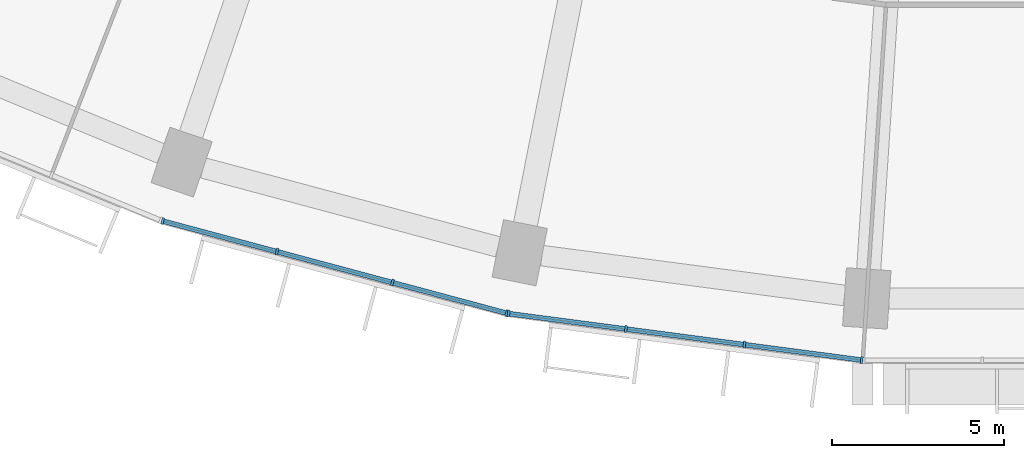
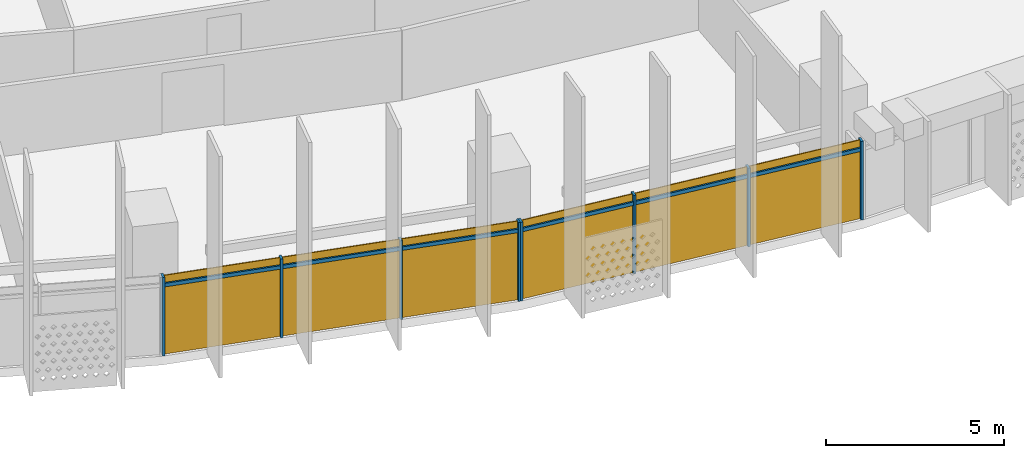
# One storey, part 20 of 32: 14 members, 2 curtain walls.
"""IFC4 building model written with IfcOpenShell, lengths in metres."""

from ifc_helpers import new_model, si_unit, direction, frame, origin, origin_2d, place, context, subcontext, project, spatial, rectangle, extrude, material, material_profile, profile_set, type_object, element, aggregate, save


model = new_model("IFC4")

# Units and contexts
model_context = context("Model", 3, precision=1e-05, world=origin(), true_north=direction((0.0, 1.0)))
body_context = subcontext(model_context, "Body", "Model", "MODEL_VIEW")
ifc_project = project(units=[si_unit("LENGTHUNIT", "METRE"), si_unit("AREAUNIT", "SQUARE_METRE"), si_unit("VOLUMEUNIT", "CUBIC_METRE"), si_unit("PLANEANGLEUNIT", "RADIAN"), si_unit("MASSUNIT", "GRAM", prefix="KILO")], contexts=[model_context])

# Member
ifc_material = material(Name="Aluminium 6063-T6 anodised", Category="aluminium")
ifc_material_profile_1 = material_profile(ifc_material, rectangle(XDim=0.199951171875, YDim=0.070068359375, at=origin_2d()))
ifc_profile_set_1 = profile_set([ifc_material_profile_1], Name="Aluminium 6063-T6 anodised")
member_type_1 = type_object("IfcMemberType", Name="Mullion 70 x 200 aluminium", PredefinedType="MULLION", material=ifc_profile_set_1)
site_placement = place(None, origin())
building_placement = place(site_placement, origin())
storey_placement = place(building_placement, frame((0.0, 0.0, 63.300048828125)))
member_1_placement = place(storey_placement, frame((-25.54296875, -75.33544921875, 0.0), z_axis=(0.0, 0.0, 1.0), x_axis=(0.258819045103, 0.965925826289, 0.0)))
member_1 = element("IfcMember", 1, at=member_1_placement, type_object=member_type_1, Name="e-cw1-L12-out06/M00", PredefinedType="MULLION", context=body_context, shape_type="SweptSolid", body=[
    extrude(rectangle(XDim=0.199951171875, YDim=0.070068359375, at=origin_2d()), origin(), (0.0, 0.0, 1.0), 2.699951171875),
])

member_2_placement = place(storey_placement, frame((-22.22216796875, -76.225341796875, 0.0), z_axis=(0.0, 0.0, 1.0), x_axis=(0.258819045103, 0.965925826289, 0.0)))
member_2 = element("IfcMember", 2, at=member_2_placement, type_object=member_type_1, Name="e-cw1-L12-out06/M01", PredefinedType="MULLION", context=body_context, shape_type="SweptSolid", body=[
    extrude(rectangle(XDim=0.199951171875, YDim=0.070068359375, at=origin_2d()), origin(), (0.0, 0.0, 1.0), 2.699951171875),
])

member_3_placement = place(storey_placement, frame((-18.86767578125, -77.1240234375, 0.0), z_axis=(0.0, 0.0, 1.0), x_axis=(0.258819045103, 0.965925826289, 0.0)))
member_3 = element("IfcMember", 3, at=member_3_placement, type_object=member_type_1, Name="e-cw1-L12-out06/M02", PredefinedType="MULLION", context=body_context, shape_type="SweptSolid", body=[
    extrude(rectangle(XDim=0.199951171875, YDim=0.070068359375, at=origin_2d()), origin(), (0.0, 0.0, 1.0), 2.699951171875),
])

member_4_placement = place(storey_placement, frame((-15.546875, -78.013916015625, 0.0), z_axis=(0.0, 0.0, 1.0), x_axis=(0.258819045103, 0.965925826289, 0.0)))
member_4 = element("IfcMember", 4, at=member_4_placement, type_object=member_type_1, Name="e-cw1-L12-out06/M03", PredefinedType="MULLION", context=body_context, shape_type="SweptSolid", body=[
    extrude(rectangle(XDim=0.199951171875, YDim=0.070068359375, at=origin_2d()), origin(), (0.0, 0.0, 1.0), 2.699951171875),
])

member_5_placement = place(storey_placement, frame((-15.4912109375, -78.02490234375, 0.0), z_axis=(0.0, 0.0, 1.0), x_axis=(0.13052619222, 0.991444861374, 0.0)))
member_5 = element("IfcMember", 5, at=member_5_placement, type_object=member_type_1, Name="e-cw1-L12-out07/M00", PredefinedType="MULLION", context=body_context, shape_type="SweptSolid", body=[
    extrude(rectangle(XDim=0.199951171875, YDim=0.070068359375, at=origin_2d()), origin(), (0.0, 0.0, 1.0), 2.699951171875),
])

member_6_placement = place(storey_placement, frame((-12.082763671875, -78.4736328125, 0.0), z_axis=(0.0, 0.0, 1.0), x_axis=(0.13052619222, 0.991444861374, 0.0)))
member_6 = element("IfcMember", 6, at=member_6_placement, type_object=member_type_1, Name="e-cw1-L12-out07/M01", PredefinedType="MULLION", context=body_context, shape_type="SweptSolid", body=[
    extrude(rectangle(XDim=0.199951171875, YDim=0.070068359375, at=origin_2d()), origin(), (0.0, 0.0, 1.0), 2.699951171875),
])

member_7_placement = place(storey_placement, frame((-8.639404296875, -78.927001953125, 0.0), z_axis=(0.0, 0.0, 1.0), x_axis=(0.13052619222, 0.991444861374, 0.0)))
member_7 = element("IfcMember", 7, at=member_7_placement, type_object=member_type_1, Name="e-cw1-L12-out07/M02", PredefinedType="MULLION", context=body_context, shape_type="SweptSolid", body=[
    extrude(rectangle(XDim=0.199951171875, YDim=0.070068359375, at=origin_2d()), origin(), (0.0, 0.0, 1.0), 2.699951171875),
])

member_8_placement = place(storey_placement, frame((-5.23095703125, -79.375732421875, 0.0), z_axis=(0.0, 0.0, 1.0), x_axis=(0.13052619222, 0.991444861374, 0.0)))
member_8 = element("IfcMember", 8, at=member_8_placement, type_object=member_type_1, Name="e-cw1-L12-out07/M03", PredefinedType="MULLION", context=body_context, shape_type="SweptSolid", body=[
    extrude(rectangle(XDim=0.199951171875, YDim=0.070068359375, at=origin_2d()), origin(), (0.0, 0.0, 1.0), 2.699951171875),
])

ifc_material_profile_2 = material_profile(ifc_material, rectangle(XDim=0.139892578125, YDim=0.1201171875, at=origin_2d()))
ifc_profile_set_2 = profile_set([ifc_material_profile_2], Name="Aluminium 6063-T6 anodised")
member_type_2 = type_object("IfcMemberType", Name="Transom 120 x 140 aluminium", PredefinedType="USERDEFINED", material=ifc_profile_set_2)
member_9_placement = place(storey_placement, frame((-25.50927734375, -75.344482421875, 2.39990234375), z_axis=(0.965915368772, -0.258858069935, 0.0), x_axis=(0.258858069935, 0.965915368772, 0.0)))
member_9 = element("IfcMember", 9, at=member_9_placement, type_object=member_type_2, Name="e-cw1-L12-out06/T00", ObjectType="TRANSOM", PredefinedType="USERDEFINED", context=body_context, shape_type="SweptSolid", body=[
    extrude(rectangle(XDim=0.139892578125, YDim=0.1201171875, at=origin_2d()), origin(), (0.0, 0.0, 1.0), 3.367919921875),
])

member_10_placement = place(storey_placement, frame((-22.1884765625, -76.234375, 2.39990234375), z_axis=(0.965937804901, -0.258774336176, 0.0), x_axis=(0.258774336176, 0.965937804901, 0.0)))
member_10 = element("IfcMember", 10, at=member_10_placement, type_object=member_type_2, Name="e-cw1-L12-out06/T01", ObjectType="TRANSOM", PredefinedType="USERDEFINED", context=body_context, shape_type="SweptSolid", body=[
    extrude(rectangle(XDim=0.139892578125, YDim=0.1201171875, at=origin_2d()), origin(), (0.0, 0.0, 1.0), 3.403076171875),
])

member_11_placement = place(storey_placement, frame((-18.833740234375, -77.133056640625, 2.39990234375), z_axis=(0.965915368772, -0.258858069935, 0.0), x_axis=(0.258858069935, 0.965915368772, 0.0)))
member_11 = element("IfcMember", 11, at=member_11_placement, type_object=member_type_2, Name="e-cw1-L12-out06/T02", ObjectType="TRANSOM", PredefinedType="USERDEFINED", context=body_context, shape_type="SweptSolid", body=[
    extrude(rectangle(XDim=0.139892578125, YDim=0.1201171875, at=origin_2d()), origin(), (0.0, 0.0, 1.0), 3.367919921875),
])

member_12_placement = place(storey_placement, frame((-15.45654296875, -78.029541015625, 2.39990234375), z_axis=(0.9914412138, -0.130553895303, 0.0), x_axis=(0.130553895303, 0.9914412138, 0.0)))
member_12 = element("IfcMember", 12, at=member_12_placement, type_object=member_type_2, Name="e-cw1-L12-out07/T00", ObjectType="TRANSOM", PredefinedType="USERDEFINED", context=body_context, shape_type="SweptSolid", body=[
    extrude(rectangle(XDim=0.139892578125, YDim=0.1201171875, at=origin_2d()), origin(), (0.0, 0.0, 1.0), 3.367919921875),
])

member_13_placement = place(storey_placement, frame((-12.048095703125, -78.478271484375, 2.39990234375), z_axis=(0.991447700941, -0.130504621753, 0.0), x_axis=(0.130504621753, 0.991447700941, 0.0)))
member_13 = element("IfcMember", 13, at=member_13_placement, type_object=member_type_2, Name="e-cw1-L12-out07/T01", ObjectType="TRANSOM", PredefinedType="USERDEFINED", context=body_context, shape_type="SweptSolid", body=[
    extrude(rectangle(XDim=0.139892578125, YDim=0.1201171875, at=origin_2d()), origin(), (0.0, 0.0, 1.0), 3.40283203125),
])

member_14_placement = place(storey_placement, frame((-8.604736328125, -78.931640625, 2.39990234375), z_axis=(0.991450594138, -0.130482640159, 0.0), x_axis=(0.130482640159, 0.991450594138, 0.0)))
member_14 = element("IfcMember", 14, at=member_14_placement, type_object=member_type_2, Name="e-cw1-L12-out07/T02", ObjectType="TRANSOM", PredefinedType="USERDEFINED", context=body_context, shape_type="SweptSolid", body=[
    extrude(rectangle(XDim=0.139892578125, YDim=0.1201171875, at=origin_2d()), origin(), (0.0, 0.0, 1.0), 3.367919921875),
])

# Site, building, storey
site = spatial("IfcSite", under=ifc_project, at=site_placement, CompositionType="ELEMENT")
building = spatial("IfcBuilding", under=site, at=building_placement, Name="Qamariyya Broadcast Tower", CompositionType="ELEMENT")
storey = spatial("IfcBuildingStorey", under=building, at=storey_placement, Name="L12", CompositionType="ELEMENT", Elevation=63.300048828125)

# Curtain wall
curtain_wall_type = type_object("IfcCurtainWallType", Name="Unitised curtain wall, anodised aluminium", PredefinedType="NOTDEFINED", material=ifc_material)
curtain_wall_1_placement = place(storey_placement, origin())
curtain_wall_1 = element("IfcCurtainWall", 15, at=curtain_wall_1_placement, inside=storey, type_object=curtain_wall_type, Name="e-cw1-L12-out06", PredefinedType="NOTDEFINED", context=body_context, shape_type="SweptSolid", body=[
    extrude(rectangle(XDim=3.367919921875, YDim=0.031982421875, at=origin_2d()), frame((-23.882568359375, -75.7802734375, 0.0), x_axis=(0.965925039578, -0.258821981129, 0.0)), (0.0, 0.0, 1.0), 2.340087890625),
    extrude(rectangle(XDim=3.367919921875, YDim=0.031982421875, at=origin_2d()), frame((-23.882568359375, -75.7802734375, 2.4599609375), x_axis=(0.965925039578, -0.258821981129, 0.0)), (0.0, 0.0, 1.0), 0.239990234375),
    extrude(rectangle(XDim=3.40283203125, YDim=0.031982421875, at=origin_2d()), frame((-20.544921875, -76.6748046875, 0.0), x_axis=(0.965925039578, -0.258821981129, 0.0)), (0.0, 0.0, 1.0), 2.340087890625),
    extrude(rectangle(XDim=3.40283203125, YDim=0.031982421875, at=origin_2d()), frame((-20.544921875, -76.6748046875, 2.4599609375), x_axis=(0.965925039578, -0.258821981129, 0.0)), (0.0, 0.0, 1.0), 0.239990234375),
    extrude(rectangle(XDim=3.367919921875, YDim=0.031982421875, at=origin_2d()), frame((-17.207275390625, -77.569091796875, 0.0), x_axis=(0.965925039578, -0.258821981129, 0.0)), (0.0, 0.0, 1.0), 2.340087890625),
    extrude(rectangle(XDim=3.367919921875, YDim=0.031982421875, at=origin_2d()), frame((-17.207275390625, -77.569091796875, 2.4599609375), x_axis=(0.965925039578, -0.258821981129, 0.0)), (0.0, 0.0, 1.0), 0.239990234375),
])

aggregate(curtain_wall_1, [member_1, member_2, member_3, member_4, member_9, member_10, member_11])

curtain_wall_2_placement = place(storey_placement, origin())
curtain_wall_2 = element("IfcCurtainWall", 16, at=curtain_wall_2_placement, inside=storey, type_object=curtain_wall_type, Name="e-cw1-L12-out07", PredefinedType="NOTDEFINED", context=body_context, shape_type="SweptSolid", body=[
    extrude(rectangle(XDim=3.367919921875, YDim=0.031982421875, at=origin_2d()), frame((-13.786865234375, -78.24951171875, 0.0), x_axis=(0.991445519925, -0.130521189931, 0.0)), (0.0, 0.0, 1.0), 2.340087890625),
    extrude(rectangle(XDim=3.367919921875, YDim=0.031982421875, at=origin_2d()), frame((-13.786865234375, -78.24951171875, 2.4599609375), x_axis=(0.991445519925, -0.130521189931, 0.0)), (0.0, 0.0, 1.0), 0.239990234375),
    extrude(rectangle(XDim=3.40283203125, YDim=0.031982421875, at=origin_2d()), frame((-10.361083984375, -78.700439453125, 0.0), x_axis=(0.991445519925, -0.130521189931, 0.0)), (0.0, 0.0, 1.0), 2.340087890625),
    extrude(rectangle(XDim=3.40283203125, YDim=0.031982421875, at=origin_2d()), frame((-10.361083984375, -78.700439453125, 2.4599609375), x_axis=(0.991445519925, -0.130521189931, 0.0)), (0.0, 0.0, 1.0), 0.239990234375),
    extrude(rectangle(XDim=3.367919921875, YDim=0.031982421875, at=origin_2d()), frame((-6.935302734375, -79.1513671875, 0.0), x_axis=(0.991445519925, -0.130521189931, 0.0)), (0.0, 0.0, 1.0), 2.340087890625),
    extrude(rectangle(XDim=3.367919921875, YDim=0.031982421875, at=origin_2d()), frame((-6.935302734375, -79.1513671875, 2.4599609375), x_axis=(0.991445519925, -0.130521189931, 0.0)), (0.0, 0.0, 1.0), 0.239990234375),
])

aggregate(curtain_wall_2, [member_5, member_6, member_7, member_8, member_12, member_13, member_14])

save(model, "model.ifc")
